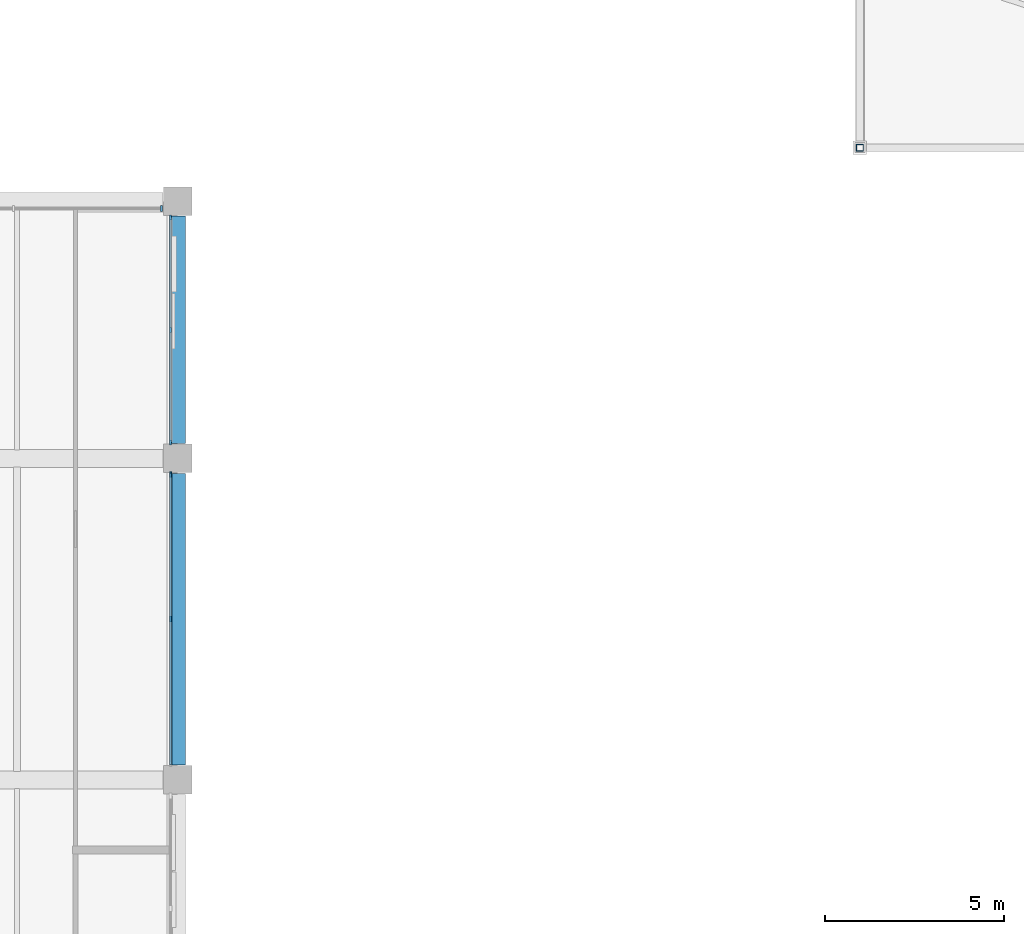
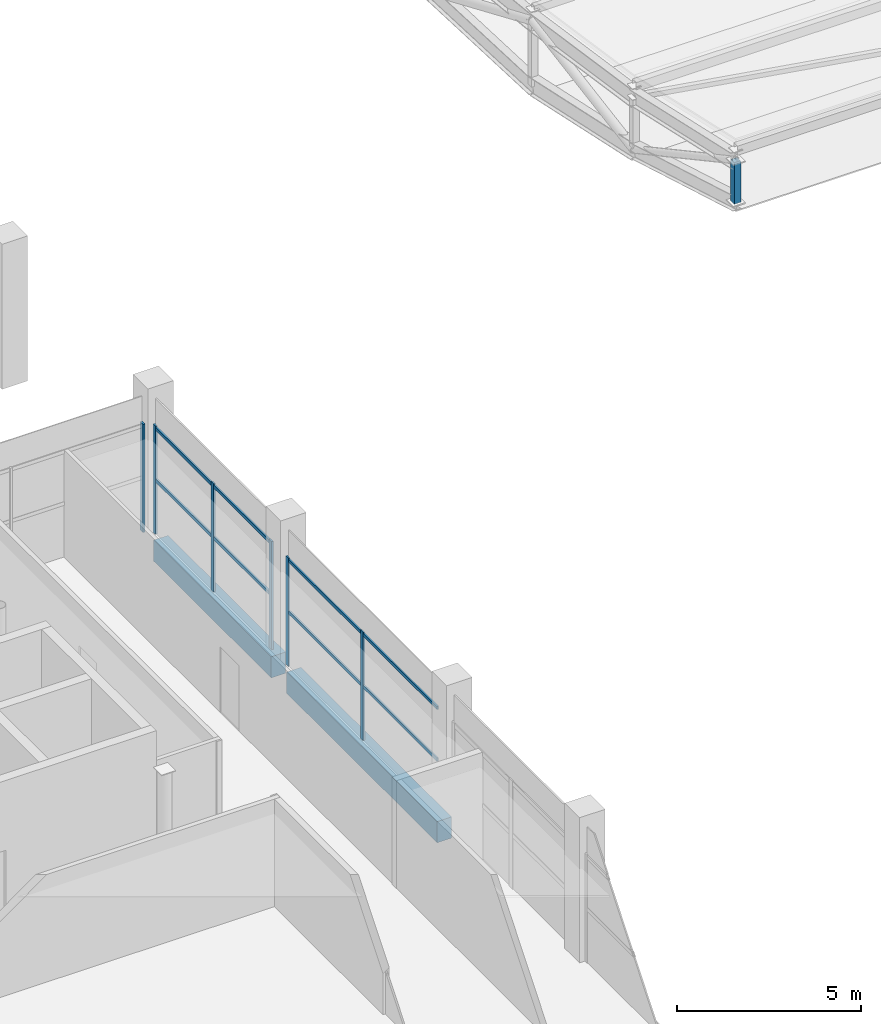
# One storey, part 31 of 114: 11 members, 2 beams, 3 elements without a shape of their own.
"""IFC4 building model written with IfcOpenShell, lengths in metres."""

from ifc_helpers import new_model, si_unit, direction, frame, origin, origin_2d, place, context, subcontext, project, spatial, rectangle, hollow_rectangle, extrude, material, material_profile, profile_set, type_object, element, aggregate, save


model = new_model("IFC4")

# Units and contexts
model_context = context("Model", 3, precision=1e-05, world=origin(), true_north=direction((0.0, 1.0)))
body_context = subcontext(model_context, "Body", "Model", "MODEL_VIEW")
ifc_project = project(units=[si_unit("LENGTHUNIT", "METRE"), si_unit("AREAUNIT", "SQUARE_METRE"), si_unit("VOLUMEUNIT", "CUBIC_METRE"), si_unit("PLANEANGLEUNIT", "RADIAN"), si_unit("MASSUNIT", "GRAM", prefix="KILO"), si_unit("THERMODYNAMICTEMPERATUREUNIT", "KELVIN"), si_unit("POWERUNIT", "WATT")], contexts=[model_context])

# Site, building, storey
site_placement = place(None, origin())
site = spatial("IfcSite", under=ifc_project, at=site_placement, CompositionType="ELEMENT")
building_placement = place(site_placement, origin())
building = spatial("IfcBuilding", under=site, at=building_placement, Name="Sindhuravela Promenade Stadium", CompositionType="ELEMENT")
storey_placement = place(building_placement, frame((0.0, 0.0, 24.0)))
storey = spatial("IfcBuildingStorey", under=building, at=storey_placement, Name="L05", CompositionType="ELEMENT", Elevation=24.0)

# Curtain wall, member
ifc_material_1 = material(Name="Anodised architectural aluminium 6063-T6", Category="aluminium")
curtain_wall_type_1 = type_object("IfcCurtainWallType", Name="CW-MOD-4", PredefinedType="NOTDEFINED", material=ifc_material_1)
curtain_wall_1_placement = place(storey_placement, origin())
curtain_wall_1 = element("IfcCurtainWall", 1, at=curtain_wall_1_placement, inside=storey, type_object=curtain_wall_type_1, Name="Bronze curtain wall CW-WEST-L05-075", PredefinedType="NOTDEFINED")
ifc_material_profile_1 = material_profile(ifc_material_1, rectangle(XDim=0.06005859375, YDim=0.159912109375, at=origin_2d()), Name="ALU M60x160")
ifc_profile_set_1 = profile_set([ifc_material_profile_1], Name="Anodised architectural aluminium 6063-T6")
member_type_1 = type_object("IfcMemberType", Name="CW-MUL-4", PredefinedType="MULLION", material=ifc_profile_set_1)
member_1_placement = place(storey_placement, frame((35.550048828125, 116.800048828125, 0.0), z_axis=(0.0, 0.0, 1.0), x_axis=(1.0, 0.0, 0.0)))
member_1 = element("IfcMember", 2, at=member_1_placement, type_object=member_type_1, Name="Curtain wall mullion CW-WEST-L05-075-M3", PredefinedType="MULLION", context=body_context, shape_type="SweptSolid", body=[
    extrude(rectangle(XDim=0.06005859375, YDim=0.159912109375, at=origin_2d()), origin(), (0.0, 0.0, 1.0), 3.580078125),
])
aggregate(curtain_wall_1, [member_1])

# Curtain wall, members
curtain_wall_type_2 = type_object("IfcCurtainWallType", Name="CW-MOD-5", PredefinedType="NOTDEFINED", material=ifc_material_1)
curtain_wall_2_placement = place(storey_placement, origin())
curtain_wall_2 = element("IfcCurtainWall", 3, at=curtain_wall_2_placement, inside=storey, type_object=curtain_wall_type_2, Name="Bronze curtain wall CW-WEST-L05-076", PredefinedType="NOTDEFINED")
ifc_material_profile_2 = material_profile(ifc_material_1, rectangle(XDim=0.06005859375, YDim=0.139892578125, at=origin_2d()), Name="ALU M60x140")
ifc_profile_set_2 = profile_set([ifc_material_profile_2], Name="Anodised architectural aluminium 6063-T6")
member_type_2 = type_object("IfcMemberType", Name="CW-MUL-5", PredefinedType="MULLION", material=ifc_profile_set_2)
member_2_placement = place(storey_placement, frame((35.800048828125, 116.550048828125, 0.0), z_axis=(0.0, 0.0, 1.0), x_axis=(1.0, 0.0, 0.0)))
member_2 = element("IfcMember", 4, at=member_2_placement, type_object=member_type_2, Name="Curtain wall mullion CW-WEST-L05-076-M1", PredefinedType="MULLION", context=body_context, shape_type="SweptSolid", body=[
    extrude(rectangle(XDim=0.06005859375, YDim=0.139892578125, at=origin_2d()), origin(), (0.0, 0.0, 1.0), 3.580078125),
])
member_3_placement = place(storey_placement, frame((35.800048828125, 113.39990234375, 0.0), z_axis=(0.0, 0.0, 1.0), x_axis=(1.0, 0.0, 0.0)))
member_3 = element("IfcMember", 5, at=member_3_placement, type_object=member_type_2, Name="Curtain wall mullion CW-WEST-L05-076-M2", PredefinedType="MULLION", context=body_context, shape_type="SweptSolid", body=[
    extrude(rectangle(XDim=0.06005859375, YDim=0.139892578125, at=origin_2d()), origin(), (0.0, 0.0, 1.0), 3.580078125),
])
member_4_placement = place(storey_placement, frame((35.800048828125, 110.25, 0.0), z_axis=(0.0, 0.0, 1.0), x_axis=(1.0, 0.0, 0.0)))
member_4 = element("IfcMember", 6, at=member_4_placement, type_object=member_type_2, Name="Curtain wall mullion CW-WEST-L05-076-M3", PredefinedType="MULLION", context=body_context, shape_type="SweptSolid", body=[
    extrude(rectangle(XDim=0.06005859375, YDim=0.139892578125, at=origin_2d()), origin(), (0.0, 0.0, 1.0), 3.580078125),
])

curtain_wall_type_3 = type_object("IfcCurtainWallType", Name="CW-MOD-6", PredefinedType="NOTDEFINED", material=ifc_material_1)
curtain_wall_3_placement = place(storey_placement, origin())
curtain_wall_3 = element("IfcCurtainWall", 7, at=curtain_wall_3_placement, inside=storey, type_object=curtain_wall_type_3, Name="Bronze curtain wall CW-WEST-L05-077", PredefinedType="NOTDEFINED")
ifc_material_profile_3 = material_profile(ifc_material_1, rectangle(XDim=0.054931640625, YDim=0.14990234375, at=origin_2d()), Name="ALU M55x150")
ifc_profile_set_3 = profile_set([ifc_material_profile_3], Name="Anodised architectural aluminium 6063-T6")
member_type_3 = type_object("IfcMemberType", Name="CW-MUL-6", PredefinedType="MULLION", material=ifc_profile_set_3)
member_5_placement = place(storey_placement, frame((35.800048828125, 109.35009765625, 0.0), z_axis=(0.0, 0.0, 1.0), x_axis=(1.0, 0.0, 0.0)))
member_5 = element("IfcMember", 8, at=member_5_placement, type_object=member_type_3, Name="Curtain wall mullion CW-WEST-L05-077-M1", PredefinedType="MULLION", context=body_context, shape_type="SweptSolid", body=[
    extrude(rectangle(XDim=0.054931640625, YDim=0.14990234375, at=origin_2d()), origin(), (0.0, 0.0, 1.0), 3.580078125),
])
member_6_placement = place(storey_placement, frame((35.800048828125, 105.300048828125, 0.0), z_axis=(0.0, 0.0, 1.0), x_axis=(1.0, 0.0, 0.0)))
member_6 = element("IfcMember", 9, at=member_6_placement, type_object=member_type_3, Name="Curtain wall mullion CW-WEST-L05-077-M2", PredefinedType="MULLION", context=body_context, shape_type="SweptSolid", body=[
    extrude(rectangle(XDim=0.054931640625, YDim=0.14990234375, at=origin_2d()), origin(), (0.0, 0.0, 1.0), 3.580078125),
])

# Member
ifc_material_profile_4 = material_profile(ifc_material_1, rectangle(XDim=0.06005859375, YDim=0.110107421875, at=origin_2d()), Name="ALU T60x110")
ifc_profile_set_4 = profile_set([ifc_material_profile_4], Name="Anodised architectural aluminium 6063-T6")
member_type_4 = type_object("IfcMemberType", Name="CW-TRN-5", PredefinedType="USERDEFINED", material=ifc_profile_set_4)
member_7_placement = place(storey_placement, frame((35.800048828125, 116.574951171875, 1.7900390625), z_axis=(0.0, -1.0, 0.0), x_axis=(1.0, 0.0, 0.0)))
member_7 = element("IfcMember", 10, at=member_7_placement, type_object=member_type_4, Name="Curtain wall transom CW-WEST-L05-076-T1", ObjectType="TRANSOM", PredefinedType="USERDEFINED", context=body_context, shape_type="SweptSolid", body=[
    extrude(rectangle(XDim=0.06005859375, YDim=0.110107421875, at=origin_2d()), origin(), (0.0, 0.0, 1.0), 6.349853515625),
])

member_8_placement = place(storey_placement, frame((35.800048828125, 116.574951171875, 3.5), z_axis=(0.0, -1.0, 0.0), x_axis=(1.0, 0.0, 0.0)))
member_8 = element("IfcMember", 11, at=member_8_placement, type_object=member_type_4, Name="Curtain wall transom CW-WEST-L05-076-T2", ObjectType="TRANSOM", PredefinedType="USERDEFINED", context=body_context, shape_type="SweptSolid", body=[
    extrude(rectangle(XDim=0.06005859375, YDim=0.110107421875, at=origin_2d()), origin(), (0.0, 0.0, 1.0), 6.349853515625),
])

aggregate(curtain_wall_2, [member_2, member_3, member_4, member_7, member_8])

ifc_material_profile_5 = material_profile(ifc_material_1, rectangle(XDim=0.054931640625, YDim=0.10498046875, at=origin_2d()), Name="ALU T55x105")
ifc_profile_set_5 = profile_set([ifc_material_profile_5], Name="Anodised architectural aluminium 6063-T6")
member_type_5 = type_object("IfcMemberType", Name="CW-TRN-6", PredefinedType="USERDEFINED", material=ifc_profile_set_5)
member_9_placement = place(storey_placement, frame((35.800048828125, 109.375, 1.7900390625), z_axis=(0.0, -1.0, 0.0), x_axis=(1.0, 0.0, 0.0)))
member_9 = element("IfcMember", 12, at=member_9_placement, type_object=member_type_5, Name="Curtain wall transom CW-WEST-L05-077-T1", ObjectType="TRANSOM", PredefinedType="USERDEFINED", context=body_context, shape_type="SweptSolid", body=[
    extrude(rectangle(XDim=0.054931640625, YDim=0.10498046875, at=origin_2d()), origin(), (0.0, 0.0, 1.0), 8.14990234375),
])

member_10_placement = place(storey_placement, frame((35.800048828125, 109.375, 3.5), z_axis=(0.0, -1.0, 0.0), x_axis=(1.0, 0.0, 0.0)))
member_10 = element("IfcMember", 13, at=member_10_placement, type_object=member_type_5, Name="Curtain wall transom CW-WEST-L05-077-T2", ObjectType="TRANSOM", PredefinedType="USERDEFINED", context=body_context, shape_type="SweptSolid", body=[
    extrude(rectangle(XDim=0.054931640625, YDim=0.10498046875, at=origin_2d()), origin(), (0.0, 0.0, 1.0), 8.14990234375),
])

aggregate(curtain_wall_3, [member_5, member_6, member_9, member_10])

# Beams
ifc_material_2 = material(Name="Concrete M40", Category="concrete")
ifc_material_profile_6 = material_profile(ifc_material_2, rectangle(XDim=0.449951171875, YDim=0.699951171875, at=origin_2d()), Name="RC 450x700")
ifc_profile_set_6 = profile_set([ifc_material_profile_6], Name="Concrete M40")
beam_type = type_object("IfcBeamType", Name="RC-BM-450x700", PredefinedType="BEAM", material=ifc_profile_set_6)
beam_1_placement = place(storey_placement, frame((36.0, 101.215087890625, -0.60009765625), z_axis=(0.0, 1.0, 0.0), x_axis=(-1.0, 0.0, 0.0)))
element("IfcBeam", 14, at=beam_1_placement, inside=storey, type_object=beam_type, Name="Primary beam GB07 WEST L05", PredefinedType="BEAM", context=body_context, shape_type="SweptSolid", body=[
    extrude(rectangle(XDim=0.449951171875, YDim=0.699951171875, at=origin_2d()), origin(), (0.0, 0.0, 1.0), 8.169921875),
])
beam_2_placement = place(storey_placement, frame((36.0, 110.215087890625, -0.60009765625), z_axis=(0.0, 1.0, 0.0), x_axis=(-1.0, 0.0, 0.0)))
element("IfcBeam", 15, at=beam_2_placement, inside=storey, type_object=beam_type, Name="Primary beam GB07 WEST L05", PredefinedType="BEAM", context=body_context, shape_type="SweptSolid", body=[
    extrude(rectangle(XDim=0.449951171875, YDim=0.699951171875, at=origin_2d()), origin(), (0.0, 0.0, 1.0), 6.369873046875),
])

# Member
ifc_material_3 = material(Name="Steel E350 (IS 2062 E350BR)", Category="steel")
ifc_material_profile_7 = material_profile(ifc_material_3, hollow_rectangle(XDim=0.199951171875, YDim=0.199951171875, WallThickness=0.010009765625, at=origin_2d()), Name="SHS 200x200x10")
ifc_profile_set_7 = profile_set([ifc_material_profile_7], Name="Steel E350 (IS 2062 E350BR)")
member_type_6 = type_object("IfcMemberType", Name="ST-MB-SHS200", PredefinedType="POST", material=ifc_profile_set_7)
member_11_placement = place(storey_placement, frame((55.10009765625, 118.5, 3.02490234375), z_axis=(0.0, 0.0, 1.0), x_axis=(1.0, 0.0, 0.0)))
element("IfcMember", 16, at=member_11_placement, inside=storey, type_object=member_type_6, Name="Roof truss RT-N01 vertical post 6", PredefinedType="POST", context=body_context, shape_type="SweptSolid", body=[
    extrude(hollow_rectangle(XDim=0.199951171875, YDim=0.199951171875, WallThickness=0.010009765625, at=origin_2d()), origin(), (0.0, 0.0, 1.0), 1.375),
])

save(model, "model.ifc")
